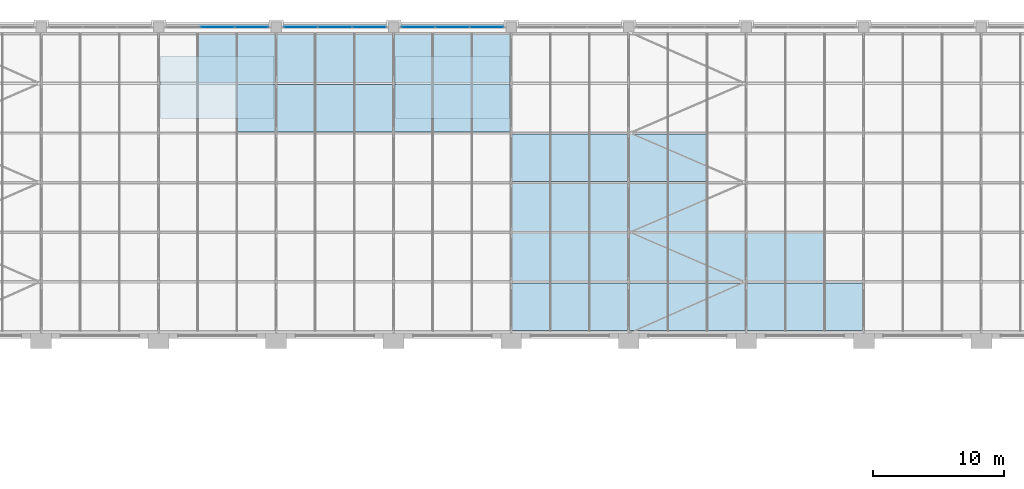
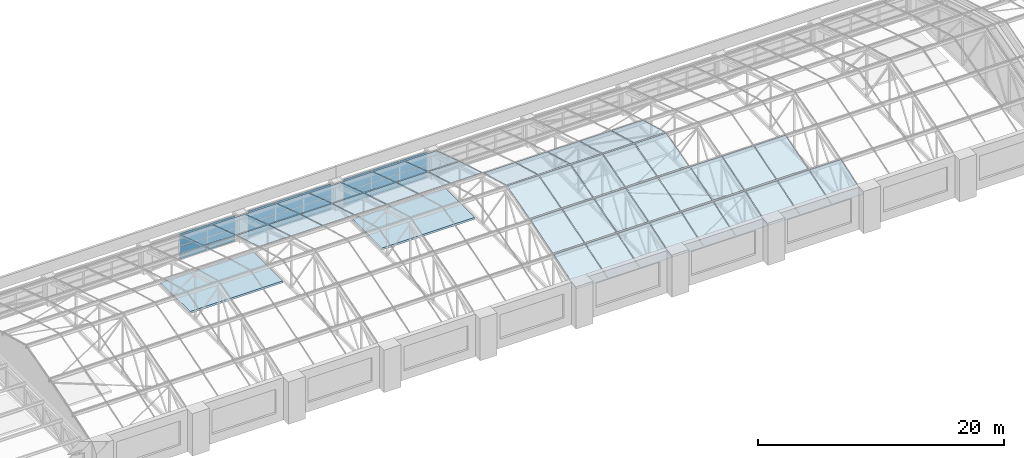
# One storey, part 48 of 82: 58 plates, 2 slabs, 4 elements without a shape of their own.
"""IFC4 building model written with IfcOpenShell, lengths in metres."""

from ifc_helpers import new_model, si_unit, direction, frame, origin, origin_2d, place, context, subcontext, project, spatial, polyline, rectangle, outline, extrude, material, layer, layer_set, type_object, element, aggregate, save


model = new_model("IFC4")

# Units and contexts
model_context = context("Model", 3, precision=1e-05, world=origin(), true_north=direction((0.0, 1.0)))
body_context = subcontext(model_context, "Body", "Model", "MODEL_VIEW")
ifc_project = project(units=[si_unit("LENGTHUNIT", "METRE"), si_unit("AREAUNIT", "SQUARE_METRE"), si_unit("VOLUMEUNIT", "CUBIC_METRE"), si_unit("PLANEANGLEUNIT", "RADIAN"), si_unit("MASSUNIT", "GRAM", prefix="KILO")], contexts=[model_context])

# Site, building, storey
site_placement = place(None, origin())
site = spatial("IfcSite", under=ifc_project, at=site_placement, CompositionType="ELEMENT")
building_placement = place(site_placement, origin())
building = spatial("IfcBuilding", under=site, at=building_placement, Name="Aravalli Gate Trade Fair Centre", CompositionType="ELEMENT")
storey_placement = place(building_placement, frame((0.0, 0.0, 19.199951171875)))
storey = spatial("IfcBuildingStorey", under=building, at=storey_placement, Name="L04", CompositionType="ELEMENT", Elevation=19.199951171875)

# Slabs
ifc_material_1 = material(Name="Concrete M40", Category="concrete")
ifc_layer_1 = layer(ifc_material_1, 0.199951171875)
ifc_layer_set_1 = layer_set([ifc_layer_1], Name="Concrete M40")
slab_type = type_object("IfcSlabType", Name="Concourse core cover slab 200", PredefinedType="ROOF", material=ifc_layer_set_1)
slab_1_placement = place(storey_placement, origin())
element("IfcSlab", 1, at=slab_1_placement, inside=storey, type_object=slab_type, Name="Core cover slab XA", PredefinedType="ROOF", context=body_context, shape_type="SweptSolid", body=[
    extrude(outline(polyline([(33.14990234375, 126.0), (41.85009765625, 126.0), (41.85009765625, 130.800048828125), (33.14990234375, 130.800048828125), (33.14990234375, 126.0)])), origin(), (0.0, 0.0, 1.0), 0.199951171875),
])
slab_2_placement = place(storey_placement, origin())
element("IfcSlab", 2, at=slab_2_placement, inside=storey, type_object=slab_type, Name="Core cover slab XB", PredefinedType="ROOF", context=body_context, shape_type="SweptSolid", body=[
    extrude(outline(polyline([(51.14990234375, 126.0), (59.85009765625, 126.0), (59.85009765625, 130.800048828125), (51.14990234375, 130.800048828125), (51.14990234375, 126.0)])), origin(), (0.0, 0.0, 1.0), 0.199951171875),
])

# Curtain wall, plates
ifc_material_2 = material(Name="Aluminium and glass", Category="aluminium")
curtain_wall_type_1 = type_object("IfcCurtainWallType", Name="Curtain wall 3000 module", PredefinedType="NOTDEFINED", material=ifc_material_2)
curtain_wall_1_placement = place(storey_placement, origin())
curtain_wall_1 = element("IfcCurtainWall", 3, at=curtain_wall_1_placement, inside=storey, type_object=curtain_wall_type_1, Name="Curtain wall north bay 4 L04", PredefinedType="NOTDEFINED")
ifc_material_3 = material(Name="Glass, double glazed", Category="glass")
ifc_layer_2 = layer(ifc_material_3, 0.028076171875)
ifc_layer_set_2 = layer_set([ifc_layer_2], Name="Glass, double glazed")
plate_type_1 = type_object("IfcPlateType", Name="Curtain wall panel, double glazed 28", PredefinedType="CURTAIN_PANEL", material=ifc_layer_set_2)
plate_1_placement = place(storey_placement, frame((37.5, 133.0, 0.06005859375), z_axis=(0.0, 0.0, 1.0), x_axis=(1.0, 0.0, 0.0)))
plate_1 = element("IfcPlate", 4, at=plate_1_placement, type_object=plate_type_1, Name="CW1 panel 2.1", PredefinedType="CURTAIN_PANEL", context=body_context, shape_type="SweptSolid", body=[
    extrude(rectangle(XDim=2.5732421875, YDim=0.028076171875, at=origin_2d()), origin(), (0.0, 0.0, 1.0), 1.260009765625),
])
plate_2_placement = place(storey_placement, frame((37.5, 133.0, 1.3798828125), z_axis=(0.0, 0.0, 1.0), x_axis=(1.0, 0.0, 0.0)))
plate_2 = element("IfcPlate", 5, at=plate_2_placement, type_object=plate_type_1, Name="CW1 panel 2.2", PredefinedType="CURTAIN_PANEL", context=body_context, shape_type="SweptSolid", body=[
    extrude(rectangle(XDim=2.5732421875, YDim=0.028076171875, at=origin_2d()), origin(), (0.0, 0.0, 1.0), 1.260009765625),
])
plate_3_placement = place(storey_placement, frame((40.118408203125, 133.0, 0.06005859375), z_axis=(0.0, 0.0, 1.0), x_axis=(1.0, 0.0, 0.0)))
plate_3 = element("IfcPlate", 6, at=plate_3_placement, type_object=plate_type_1, Name="CW1 panel 3.1", PredefinedType="CURTAIN_PANEL", context=body_context, shape_type="SweptSolid", body=[
    extrude(rectangle(XDim=2.543212890625, YDim=0.028076171875, at=origin_2d()), origin(), (0.0, 0.0, 1.0), 1.260009765625),
])
plate_4_placement = place(storey_placement, frame((40.118408203125, 133.0, 1.3798828125), z_axis=(0.0, 0.0, 1.0), x_axis=(1.0, 0.0, 0.0)))
plate_4 = element("IfcPlate", 7, at=plate_4_placement, type_object=plate_type_1, Name="CW1 panel 3.2", PredefinedType="CURTAIN_PANEL", context=body_context, shape_type="SweptSolid", body=[
    extrude(rectangle(XDim=2.543212890625, YDim=0.028076171875, at=origin_2d()), origin(), (0.0, 0.0, 1.0), 1.260009765625),
])
aggregate(curtain_wall_1, [plate_1, plate_2, plate_3, plate_4])

curtain_wall_2_placement = place(storey_placement, origin())
curtain_wall_2 = element("IfcCurtainWall", 8, at=curtain_wall_2_placement, inside=storey, type_object=curtain_wall_type_1, Name="Curtain wall north bay 5 L04", PredefinedType="NOTDEFINED")
plate_5_placement = place(storey_placement, frame((43.881591796875, 133.0, 0.06005859375), z_axis=(0.0, 0.0, 1.0), x_axis=(1.0, 0.0, 0.0)))
plate_5 = element("IfcPlate", 9, at=plate_5_placement, type_object=plate_type_1, Name="CW1 panel 1.1", PredefinedType="CURTAIN_PANEL", context=body_context, shape_type="SweptSolid", body=[
    extrude(rectangle(XDim=2.543212890625, YDim=0.028076171875, at=origin_2d()), origin(), (0.0, 0.0, 1.0), 1.260009765625),
])
plate_6_placement = place(storey_placement, frame((43.881591796875, 133.0, 1.3798828125), z_axis=(0.0, 0.0, 1.0), x_axis=(1.0, 0.0, 0.0)))
plate_6 = element("IfcPlate", 10, at=plate_6_placement, type_object=plate_type_1, Name="CW1 panel 1.2", PredefinedType="CURTAIN_PANEL", context=body_context, shape_type="SweptSolid", body=[
    extrude(rectangle(XDim=2.543212890625, YDim=0.028076171875, at=origin_2d()), origin(), (0.0, 0.0, 1.0), 1.260009765625),
])
plate_7_placement = place(storey_placement, frame((46.5, 133.0, 0.06005859375), z_axis=(0.0, 0.0, 1.0), x_axis=(1.0, 0.0, 0.0)))
plate_7 = element("IfcPlate", 11, at=plate_7_placement, type_object=plate_type_1, Name="CW1 panel 2.1", PredefinedType="CURTAIN_PANEL", context=body_context, shape_type="SweptSolid", body=[
    extrude(rectangle(XDim=2.5732421875, YDim=0.028076171875, at=origin_2d()), origin(), (0.0, 0.0, 1.0), 1.260009765625),
])
plate_8_placement = place(storey_placement, frame((46.5, 133.0, 1.3798828125), z_axis=(0.0, 0.0, 1.0), x_axis=(1.0, 0.0, 0.0)))
plate_8 = element("IfcPlate", 12, at=plate_8_placement, type_object=plate_type_1, Name="CW1 panel 2.2", PredefinedType="CURTAIN_PANEL", context=body_context, shape_type="SweptSolid", body=[
    extrude(rectangle(XDim=2.5732421875, YDim=0.028076171875, at=origin_2d()), origin(), (0.0, 0.0, 1.0), 1.260009765625),
])
plate_9_placement = place(storey_placement, frame((49.118408203125, 133.0, 0.06005859375), z_axis=(0.0, 0.0, 1.0), x_axis=(1.0, 0.0, 0.0)))
plate_9 = element("IfcPlate", 13, at=plate_9_placement, type_object=plate_type_1, Name="CW1 panel 3.1", PredefinedType="CURTAIN_PANEL", context=body_context, shape_type="SweptSolid", body=[
    extrude(rectangle(XDim=2.543212890625, YDim=0.028076171875, at=origin_2d()), origin(), (0.0, 0.0, 1.0), 1.260009765625),
])
plate_10_placement = place(storey_placement, frame((49.118408203125, 133.0, 1.3798828125), z_axis=(0.0, 0.0, 1.0), x_axis=(1.0, 0.0, 0.0)))
plate_10 = element("IfcPlate", 14, at=plate_10_placement, type_object=plate_type_1, Name="CW1 panel 3.2", PredefinedType="CURTAIN_PANEL", context=body_context, shape_type="SweptSolid", body=[
    extrude(rectangle(XDim=2.543212890625, YDim=0.028076171875, at=origin_2d()), origin(), (0.0, 0.0, 1.0), 1.260009765625),
])
aggregate(curtain_wall_2, [plate_5, plate_6, plate_7, plate_8, plate_9, plate_10])

curtain_wall_3_placement = place(storey_placement, origin())
curtain_wall_3 = element("IfcCurtainWall", 15, at=curtain_wall_3_placement, inside=storey, type_object=curtain_wall_type_1, Name="Curtain wall north bay 6 L04", PredefinedType="NOTDEFINED")
plate_11_placement = place(storey_placement, frame((52.881591796875, 133.0, 0.06005859375), z_axis=(0.0, 0.0, 1.0), x_axis=(1.0, 0.0, 0.0)))
plate_11 = element("IfcPlate", 16, at=plate_11_placement, type_object=plate_type_1, Name="CW1 panel 1.1", PredefinedType="CURTAIN_PANEL", context=body_context, shape_type="SweptSolid", body=[
    extrude(rectangle(XDim=2.543212890625, YDim=0.028076171875, at=origin_2d()), origin(), (0.0, 0.0, 1.0), 1.260009765625),
])
plate_12_placement = place(storey_placement, frame((52.881591796875, 133.0, 1.3798828125), z_axis=(0.0, 0.0, 1.0), x_axis=(1.0, 0.0, 0.0)))
plate_12 = element("IfcPlate", 17, at=plate_12_placement, type_object=plate_type_1, Name="CW1 panel 1.2", PredefinedType="CURTAIN_PANEL", context=body_context, shape_type="SweptSolid", body=[
    extrude(rectangle(XDim=2.543212890625, YDim=0.028076171875, at=origin_2d()), origin(), (0.0, 0.0, 1.0), 1.260009765625),
])
plate_13_placement = place(storey_placement, frame((55.5, 133.0, 0.06005859375), z_axis=(0.0, 0.0, 1.0), x_axis=(1.0, 0.0, 0.0)))
plate_13 = element("IfcPlate", 18, at=plate_13_placement, type_object=plate_type_1, Name="CW1 panel 2.1", PredefinedType="CURTAIN_PANEL", context=body_context, shape_type="SweptSolid", body=[
    extrude(rectangle(XDim=2.5732421875, YDim=0.028076171875, at=origin_2d()), origin(), (0.0, 0.0, 1.0), 1.260009765625),
])
plate_14_placement = place(storey_placement, frame((55.5, 133.0, 1.3798828125), z_axis=(0.0, 0.0, 1.0), x_axis=(1.0, 0.0, 0.0)))
plate_14 = element("IfcPlate", 19, at=plate_14_placement, type_object=plate_type_1, Name="CW1 panel 2.2", PredefinedType="CURTAIN_PANEL", context=body_context, shape_type="SweptSolid", body=[
    extrude(rectangle(XDim=2.5732421875, YDim=0.028076171875, at=origin_2d()), origin(), (0.0, 0.0, 1.0), 1.260009765625),
])
plate_15_placement = place(storey_placement, frame((58.118408203125, 133.0, 0.06005859375), z_axis=(0.0, 0.0, 1.0), x_axis=(1.0, 0.0, 0.0)))
plate_15 = element("IfcPlate", 20, at=plate_15_placement, type_object=plate_type_1, Name="CW1 panel 3.1", PredefinedType="CURTAIN_PANEL", context=body_context, shape_type="SweptSolid", body=[
    extrude(rectangle(XDim=2.543212890625, YDim=0.028076171875, at=origin_2d()), origin(), (0.0, 0.0, 1.0), 1.260009765625),
])
plate_16_placement = place(storey_placement, frame((58.118408203125, 133.0, 1.3798828125), z_axis=(0.0, 0.0, 1.0), x_axis=(1.0, 0.0, 0.0)))
plate_16 = element("IfcPlate", 21, at=plate_16_placement, type_object=plate_type_1, Name="CW1 panel 3.2", PredefinedType="CURTAIN_PANEL", context=body_context, shape_type="SweptSolid", body=[
    extrude(rectangle(XDim=2.543212890625, YDim=0.028076171875, at=origin_2d()), origin(), (0.0, 0.0, 1.0), 1.260009765625),
])
aggregate(curtain_wall_3, [plate_11, plate_12, plate_13, plate_14, plate_15, plate_16])

curtain_wall_type_2 = type_object("IfcCurtainWallType", Name="Vault curtain wall, sloped glazing", PredefinedType="NOTDEFINED", material=ifc_material_2)
curtain_wall_4_placement = place(storey_placement, origin())
curtain_wall_4 = element("IfcCurtainWall", 22, at=curtain_wall_4_placement, inside=storey, type_object=curtain_wall_type_2, Name="Vault curtain wall w", PredefinedType="NOTDEFINED")
ifc_material_4 = material(Name="Glass, laminated double glazed", Category="glass")
ifc_layer_3 = layer(ifc_material_4, 0.028076171875)
ifc_layer_set_3 = layer_set([ifc_layer_3], Name="Glass, laminated double glazed")
plate_type_2 = type_object("IfcPlateType", Name="Vault glazing panel, facet class 1", PredefinedType="CURTAIN_PANEL", material=ifc_layer_set_3)
plate_17_placement = place(storey_placement, frame((36.030029296875, 128.77001953125, 4.0771484375), z_axis=(0.0, 0.312518472278, 0.949911682466), x_axis=(1.0, 0.0, 0.0)))
plate_17 = element("IfcPlate", 23, at=plate_17_placement, type_object=plate_type_2, Name="Vault glazing w8.6", PredefinedType="CURTAIN_PANEL", context=body_context, shape_type="SweptSolid", body=[
    extrude(outline(polyline([(0.0, 0.0), (2.93994140625, 0.0), (2.93994140625, 3.852897250273449), (0.0, 3.852897250273449), (0.0, 0.0)])), origin(), (0.0, 0.0, -1.0), 0.028076171875),
])
plate_18_placement = place(storey_placement, frame((39.030029296875, 128.77001953125, 4.0771484375), z_axis=(0.0, 0.312518472278, 0.949911682466), x_axis=(1.0, 0.0, 0.0)))
plate_18 = element("IfcPlate", 24, at=plate_18_placement, type_object=plate_type_2, Name="Vault glazing w9.6", PredefinedType="CURTAIN_PANEL", context=body_context, shape_type="SweptSolid", body=[
    extrude(outline(polyline([(0.0, 0.0), (2.93994140625, 0.0), (2.93994140625, 3.852897250273449), (0.0, 3.852897250273449), (0.0, 0.0)])), origin(), (0.0, 0.0, -1.0), 0.028076171875),
])
plate_19_placement = place(storey_placement, frame((42.030029296875, 128.77001953125, 4.0771484375), z_axis=(0.0, 0.312518472278, 0.949911682466), x_axis=(1.0, 0.0, 0.0)))
plate_19 = element("IfcPlate", 25, at=plate_19_placement, type_object=plate_type_2, Name="Vault glazing w10.6", PredefinedType="CURTAIN_PANEL", context=body_context, shape_type="SweptSolid", body=[
    extrude(outline(polyline([(0.0, 0.0), (2.93994140625, 0.0), (2.93994140625, 3.852897250273449), (0.0, 3.852897250273449), (0.0, 0.0)])), origin(), (0.0, 0.0, -1.0), 0.028076171875),
])
plate_20_placement = place(storey_placement, frame((45.030029296875, 128.77001953125, 4.0771484375), z_axis=(0.0, 0.312518472278, 0.949911682466), x_axis=(1.0, 0.0, 0.0)))
plate_20 = element("IfcPlate", 26, at=plate_20_placement, type_object=plate_type_2, Name="Vault glazing w11.6", PredefinedType="CURTAIN_PANEL", context=body_context, shape_type="SweptSolid", body=[
    extrude(outline(polyline([(0.0, 0.0), (2.93994140625, 0.0), (2.93994140625, 3.852897250273449), (0.0, 3.852897250273449), (0.0, 0.0)])), origin(), (0.0, 0.0, -1.0), 0.028076171875),
])
plate_21_placement = place(storey_placement, frame((48.030029296875, 128.77001953125, 4.0771484375), z_axis=(0.0, 0.312518472278, 0.949911682466), x_axis=(1.0, 0.0, 0.0)))
plate_21 = element("IfcPlate", 27, at=plate_21_placement, type_object=plate_type_2, Name="Vault glazing w12.6", PredefinedType="CURTAIN_PANEL", context=body_context, shape_type="SweptSolid", body=[
    extrude(outline(polyline([(0.0, 0.0), (2.93994140625, 0.0), (2.93994140625, 3.852897250273449), (0.0, 3.852897250273449), (0.0, 0.0)])), origin(), (0.0, 0.0, -1.0), 0.028076171875),
])
plate_22_placement = place(storey_placement, frame((51.030029296875, 128.77001953125, 4.0771484375), z_axis=(0.0, 0.312518472278, 0.949911682466), x_axis=(1.0, 0.0, 0.0)))
plate_22 = element("IfcPlate", 28, at=plate_22_placement, type_object=plate_type_2, Name="Vault glazing w13.6", PredefinedType="CURTAIN_PANEL", context=body_context, shape_type="SweptSolid", body=[
    extrude(outline(polyline([(0.0, 0.0), (2.93994140625, 0.0), (2.93994140625, 3.852897250273449), (0.0, 3.852897250273449), (0.0, 0.0)])), origin(), (0.0, 0.0, -1.0), 0.028076171875),
])
plate_23_placement = place(storey_placement, frame((54.030029296875, 128.77001953125, 4.0771484375), z_axis=(0.0, 0.312518472278, 0.949911682466), x_axis=(1.0, 0.0, 0.0)))
plate_23 = element("IfcPlate", 29, at=plate_23_placement, type_object=plate_type_2, Name="Vault glazing w14.6", PredefinedType="CURTAIN_PANEL", context=body_context, shape_type="SweptSolid", body=[
    extrude(outline(polyline([(0.0, 0.0), (2.93994140625, 0.0), (2.93994140625, 3.852897250273449), (0.0, 3.852897250273449), (0.0, 0.0)])), origin(), (0.0, 0.0, -1.0), 0.028076171875),
])
plate_24_placement = place(storey_placement, frame((57.030029296875, 128.77001953125, 4.0771484375), z_axis=(0.0, 0.312518472278, 0.949911682466), x_axis=(1.0, 0.0, 0.0)))
plate_24 = element("IfcPlate", 30, at=plate_24_placement, type_object=plate_type_2, Name="Vault glazing w15.6", PredefinedType="CURTAIN_PANEL", context=body_context, shape_type="SweptSolid", body=[
    extrude(outline(polyline([(0.0, 0.0), (2.93994140625, 0.0), (2.93994140625, 3.852897250273449), (0.0, 3.852897250273449), (0.0, 0.0)])), origin(), (0.0, 0.0, -1.0), 0.028076171875),
])
plate_25_placement = place(storey_placement, frame((60.030029296875, 109.77001953125, 2.873046875), z_axis=(0.0, -0.312518472278, 0.949911682466), x_axis=(1.0, 0.0, 0.0)))
plate_25 = element("IfcPlate", 31, at=plate_25_placement, type_object=plate_type_2, Name="Vault glazing w16.1", PredefinedType="CURTAIN_PANEL", context=body_context, shape_type="SweptSolid", body=[
    extrude(outline(polyline([(0.0, 0.0), (2.93994140625, 0.0), (2.93994140625, 3.852897250273449), (0.0, 3.852897250273449), (0.0, 0.0)])), origin(), (0.0, 0.0, -1.0), 0.028076171875),
])
plate_26_placement = place(storey_placement, frame((63.030029296875, 109.77001953125, 2.873046875), z_axis=(0.0, -0.312518472278, 0.949911682466), x_axis=(1.0, 0.0, 0.0)))
plate_26 = element("IfcPlate", 32, at=plate_26_placement, type_object=plate_type_2, Name="Vault glazing w17.1", PredefinedType="CURTAIN_PANEL", context=body_context, shape_type="SweptSolid", body=[
    extrude(outline(polyline([(0.0, 0.0), (2.93994140625, 0.0), (2.93994140625, 3.852897250273449), (0.0, 3.852897250273449), (0.0, 0.0)])), origin(), (0.0, 0.0, -1.0), 0.028076171875),
])
plate_27_placement = place(storey_placement, frame((66.030029296875, 109.77001953125, 2.873046875), z_axis=(0.0, -0.312518472278, 0.949911682466), x_axis=(1.0, 0.0, 0.0)))
plate_27 = element("IfcPlate", 33, at=plate_27_placement, type_object=plate_type_2, Name="Vault glazing w18.1", PredefinedType="CURTAIN_PANEL", context=body_context, shape_type="SweptSolid", body=[
    extrude(outline(polyline([(0.0, 0.0), (2.93994140625, 0.0), (2.93994140625, 3.852897250273449), (0.0, 3.852897250273449), (0.0, 0.0)])), origin(), (0.0, 0.0, -1.0), 0.028076171875),
])
plate_28_placement = place(storey_placement, frame((69.030029296875, 109.77001953125, 2.873046875), z_axis=(0.0, -0.312518472278, 0.949911682466), x_axis=(1.0, 0.0, 0.0)))
plate_28 = element("IfcPlate", 34, at=plate_28_placement, type_object=plate_type_2, Name="Vault glazing w19.1", PredefinedType="CURTAIN_PANEL", context=body_context, shape_type="SweptSolid", body=[
    extrude(outline(polyline([(0.0, 0.0), (2.93994140625, 0.0), (2.93994140625, 3.852897250273449), (0.0, 3.852897250273449), (0.0, 0.0)])), origin(), (0.0, 0.0, -1.0), 0.028076171875),
])
plate_29_placement = place(storey_placement, frame((72.030029296875, 109.77001953125, 2.873046875), z_axis=(0.0, -0.312518472278, 0.949911682466), x_axis=(1.0, 0.0, 0.0)))
plate_29 = element("IfcPlate", 35, at=plate_29_placement, type_object=plate_type_2, Name="Vault glazing w20.1", PredefinedType="CURTAIN_PANEL", context=body_context, shape_type="SweptSolid", body=[
    extrude(outline(polyline([(0.0, 0.0), (2.93994140625, 0.0), (2.93994140625, 3.852897250273449), (0.0, 3.852897250273449), (0.0, 0.0)])), origin(), (0.0, 0.0, -1.0), 0.028076171875),
])
plate_30_placement = place(storey_placement, frame((75.030029296875, 109.77001953125, 2.873046875), z_axis=(0.0, -0.312518472278, 0.949911682466), x_axis=(1.0, 0.0, 0.0)))
plate_30 = element("IfcPlate", 36, at=plate_30_placement, type_object=plate_type_2, Name="Vault glazing w21.1", PredefinedType="CURTAIN_PANEL", context=body_context, shape_type="SweptSolid", body=[
    extrude(outline(polyline([(0.0, 0.0), (2.93994140625, 0.0), (2.93994140625, 3.852897250273449), (0.0, 3.852897250273449), (0.0, 0.0)])), origin(), (0.0, 0.0, -1.0), 0.028076171875),
])
plate_31_placement = place(storey_placement, frame((78.030029296875, 109.77001953125, 2.873046875), z_axis=(0.0, -0.312518472278, 0.949911682466), x_axis=(1.0, 0.0, 0.0)))
plate_31 = element("IfcPlate", 37, at=plate_31_placement, type_object=plate_type_2, Name="Vault glazing w22.1", PredefinedType="CURTAIN_PANEL", context=body_context, shape_type="SweptSolid", body=[
    extrude(outline(polyline([(0.0, 0.0), (2.93994140625, 0.0), (2.93994140625, 3.852897250273449), (0.0, 3.852897250273449), (0.0, 0.0)])), origin(), (0.0, 0.0, -1.0), 0.028076171875),
])
plate_32_placement = place(storey_placement, frame((81.030029296875, 109.77001953125, 2.873046875), z_axis=(0.0, -0.312518472278, 0.949911682466), x_axis=(1.0, 0.0, 0.0)))
plate_32 = element("IfcPlate", 38, at=plate_32_placement, type_object=plate_type_2, Name="Vault glazing w23.1", PredefinedType="CURTAIN_PANEL", context=body_context, shape_type="SweptSolid", body=[
    extrude(outline(polyline([(0.0, 0.0), (2.93994140625, 0.0), (2.93994140625, 3.852897250273449), (0.0, 3.852897250273449), (0.0, 0.0)])), origin(), (0.0, 0.0, -1.0), 0.028076171875),
])
plate_33_placement = place(storey_placement, frame((84.030029296875, 109.77001953125, 2.873046875), z_axis=(0.0, -0.312518472278, 0.949911682466), x_axis=(1.0, 0.0, 0.0)))
plate_33 = element("IfcPlate", 39, at=plate_33_placement, type_object=plate_type_2, Name="Vault glazing w24.1", PredefinedType="CURTAIN_PANEL", context=body_context, shape_type="SweptSolid", body=[
    extrude(outline(polyline([(0.0, 0.0), (2.93994140625, 0.0), (2.93994140625, 3.852897250273449), (0.0, 3.852897250273449), (0.0, 0.0)])), origin(), (0.0, 0.0, -1.0), 0.028076171875),
])
ifc_layer_4 = layer(ifc_material_4, 0.028076171875)
ifc_layer_set_4 = layer_set([ifc_layer_4], Name="Glass, laminated double glazed")
plate_type_3 = type_object("IfcPlateType", Name="Vault glazing panel, facet class 2", PredefinedType="CURTAIN_PANEL", material=ifc_layer_set_4)
plate_34_placement = place(storey_placement, frame((39.030029296875, 124.969970703125, 5.228759765625), z_axis=(0.0, 0.289613973345, 0.957143534922), x_axis=(1.0, 0.0, 0.0)))
plate_34 = element("IfcPlate", 40, at=plate_34_placement, type_object=plate_type_3, Name="Vault glazing w9.5", PredefinedType="CURTAIN_PANEL", context=body_context, shape_type="SweptSolid", body=[
    extrude(outline(polyline([(0.0, 0.0), (2.93994140625, 0.0), (2.93994140625, 3.8237860632595906), (0.0, 3.8237860632595906), (0.0, 0.0)])), origin(), (0.0, 0.0, -1.0), 0.028076171875),
])
plate_35_placement = place(storey_placement, frame((42.030029296875, 124.969970703125, 5.228759765625), z_axis=(0.0, 0.289613973345, 0.957143534922), x_axis=(1.0, 0.0, 0.0)))
plate_35 = element("IfcPlate", 41, at=plate_35_placement, type_object=plate_type_3, Name="Vault glazing w10.5", PredefinedType="CURTAIN_PANEL", context=body_context, shape_type="SweptSolid", body=[
    extrude(outline(polyline([(0.0, 0.0), (2.93994140625, 0.0), (2.93994140625, 3.8237860632595906), (0.0, 3.8237860632595906), (0.0, 0.0)])), origin(), (0.0, 0.0, -1.0), 0.028076171875),
])
plate_36_placement = place(storey_placement, frame((45.030029296875, 124.969970703125, 5.228759765625), z_axis=(0.0, 0.289613973345, 0.957143534922), x_axis=(1.0, 0.0, 0.0)))
plate_36 = element("IfcPlate", 42, at=plate_36_placement, type_object=plate_type_3, Name="Vault glazing w11.5", PredefinedType="CURTAIN_PANEL", context=body_context, shape_type="SweptSolid", body=[
    extrude(outline(polyline([(0.0, 0.0), (2.93994140625, 0.0), (2.93994140625, 3.8237860632595906), (0.0, 3.8237860632595906), (0.0, 0.0)])), origin(), (0.0, 0.0, -1.0), 0.028076171875),
])
plate_37_placement = place(storey_placement, frame((48.030029296875, 124.969970703125, 5.228759765625), z_axis=(0.0, 0.289613973345, 0.957143534922), x_axis=(1.0, 0.0, 0.0)))
plate_37 = element("IfcPlate", 43, at=plate_37_placement, type_object=plate_type_3, Name="Vault glazing w12.5", PredefinedType="CURTAIN_PANEL", context=body_context, shape_type="SweptSolid", body=[
    extrude(outline(polyline([(0.0, 0.0), (2.93994140625, 0.0), (2.93994140625, 3.8237860632595906), (0.0, 3.8237860632595906), (0.0, 0.0)])), origin(), (0.0, 0.0, -1.0), 0.028076171875),
])
plate_38_placement = place(storey_placement, frame((51.030029296875, 124.969970703125, 5.228759765625), z_axis=(0.0, 0.289613973345, 0.957143534922), x_axis=(1.0, 0.0, 0.0)))
plate_38 = element("IfcPlate", 44, at=plate_38_placement, type_object=plate_type_3, Name="Vault glazing w13.5", PredefinedType="CURTAIN_PANEL", context=body_context, shape_type="SweptSolid", body=[
    extrude(outline(polyline([(0.0, 0.0), (2.93994140625, 0.0), (2.93994140625, 3.8237860632595906), (0.0, 3.8237860632595906), (0.0, 0.0)])), origin(), (0.0, 0.0, -1.0), 0.028076171875),
])
plate_39_placement = place(storey_placement, frame((54.030029296875, 124.969970703125, 5.228759765625), z_axis=(0.0, 0.289613973345, 0.957143534922), x_axis=(1.0, 0.0, 0.0)))
plate_39 = element("IfcPlate", 45, at=plate_39_placement, type_object=plate_type_3, Name="Vault glazing w14.5", PredefinedType="CURTAIN_PANEL", context=body_context, shape_type="SweptSolid", body=[
    extrude(outline(polyline([(0.0, 0.0), (2.93994140625, 0.0), (2.93994140625, 3.8237860632595906), (0.0, 3.8237860632595906), (0.0, 0.0)])), origin(), (0.0, 0.0, -1.0), 0.028076171875),
])
plate_40_placement = place(storey_placement, frame((57.030029296875, 124.969970703125, 5.228759765625), z_axis=(0.0, 0.289613973345, 0.957143534922), x_axis=(1.0, 0.0, 0.0)))
plate_40 = element("IfcPlate", 46, at=plate_40_placement, type_object=plate_type_3, Name="Vault glazing w15.5", PredefinedType="CURTAIN_PANEL", context=body_context, shape_type="SweptSolid", body=[
    extrude(outline(polyline([(0.0, 0.0), (2.93994140625, 0.0), (2.93994140625, 3.8237860632595906), (0.0, 3.8237860632595906), (0.0, 0.0)])), origin(), (0.0, 0.0, -1.0), 0.028076171875),
])
plate_41_placement = place(storey_placement, frame((60.030029296875, 113.570068359375, 4.121337890625), z_axis=(0.0, -0.289613973345, 0.957143534922), x_axis=(1.0, 0.0, 0.0)))
plate_41 = element("IfcPlate", 47, at=plate_41_placement, type_object=plate_type_3, Name="Vault glazing w16.2", PredefinedType="CURTAIN_PANEL", context=body_context, shape_type="SweptSolid", body=[
    extrude(outline(polyline([(0.0, 0.0), (2.93994140625, 0.0), (2.93994140625, 3.8237860632595906), (0.0, 3.8237860632595906), (0.0, 0.0)])), origin(), (0.0, 0.0, -1.0), 0.028076171875),
])
plate_42_placement = place(storey_placement, frame((63.030029296875, 113.570068359375, 4.121337890625), z_axis=(0.0, -0.289613973345, 0.957143534922), x_axis=(1.0, 0.0, 0.0)))
plate_42 = element("IfcPlate", 48, at=plate_42_placement, type_object=plate_type_3, Name="Vault glazing w17.2", PredefinedType="CURTAIN_PANEL", context=body_context, shape_type="SweptSolid", body=[
    extrude(outline(polyline([(0.0, 0.0), (2.93994140625, 0.0), (2.93994140625, 3.8237860632595906), (0.0, 3.8237860632595906), (0.0, 0.0)])), origin(), (0.0, 0.0, -1.0), 0.028076171875),
])
plate_43_placement = place(storey_placement, frame((66.030029296875, 113.570068359375, 4.121337890625), z_axis=(0.0, -0.289613973345, 0.957143534922), x_axis=(1.0, 0.0, 0.0)))
plate_43 = element("IfcPlate", 49, at=plate_43_placement, type_object=plate_type_3, Name="Vault glazing w18.2", PredefinedType="CURTAIN_PANEL", context=body_context, shape_type="SweptSolid", body=[
    extrude(outline(polyline([(0.0, 0.0), (2.93994140625, 0.0), (2.93994140625, 3.8237860632595906), (0.0, 3.8237860632595906), (0.0, 0.0)])), origin(), (0.0, 0.0, -1.0), 0.028076171875),
])
plate_44_placement = place(storey_placement, frame((69.030029296875, 113.570068359375, 4.121337890625), z_axis=(0.0, -0.289613973345, 0.957143534922), x_axis=(1.0, 0.0, 0.0)))
plate_44 = element("IfcPlate", 50, at=plate_44_placement, type_object=plate_type_3, Name="Vault glazing w19.2", PredefinedType="CURTAIN_PANEL", context=body_context, shape_type="SweptSolid", body=[
    extrude(outline(polyline([(0.0, 0.0), (2.93994140625, 0.0), (2.93994140625, 3.8237860632595906), (0.0, 3.8237860632595906), (0.0, 0.0)])), origin(), (0.0, 0.0, -1.0), 0.028076171875),
])
plate_45_placement = place(storey_placement, frame((72.030029296875, 113.570068359375, 4.121337890625), z_axis=(0.0, -0.289613973345, 0.957143534922), x_axis=(1.0, 0.0, 0.0)))
plate_45 = element("IfcPlate", 51, at=plate_45_placement, type_object=plate_type_3, Name="Vault glazing w20.2", PredefinedType="CURTAIN_PANEL", context=body_context, shape_type="SweptSolid", body=[
    extrude(outline(polyline([(0.0, 0.0), (2.93994140625, 0.0), (2.93994140625, 3.8237860632595906), (0.0, 3.8237860632595906), (0.0, 0.0)])), origin(), (0.0, 0.0, -1.0), 0.028076171875),
])
plate_46_placement = place(storey_placement, frame((75.030029296875, 113.570068359375, 4.121337890625), z_axis=(0.0, -0.289613973345, 0.957143534922), x_axis=(1.0, 0.0, 0.0)))
plate_46 = element("IfcPlate", 52, at=plate_46_placement, type_object=plate_type_3, Name="Vault glazing w21.2", PredefinedType="CURTAIN_PANEL", context=body_context, shape_type="SweptSolid", body=[
    extrude(outline(polyline([(0.0, 0.0), (2.93994140625, 0.0), (2.93994140625, 3.8237860632595906), (0.0, 3.8237860632595906), (0.0, 0.0)])), origin(), (0.0, 0.0, -1.0), 0.028076171875),
])
plate_47_placement = place(storey_placement, frame((78.030029296875, 113.570068359375, 4.121337890625), z_axis=(0.0, -0.289613973345, 0.957143534922), x_axis=(1.0, 0.0, 0.0)))
plate_47 = element("IfcPlate", 53, at=plate_47_placement, type_object=plate_type_3, Name="Vault glazing w22.2", PredefinedType="CURTAIN_PANEL", context=body_context, shape_type="SweptSolid", body=[
    extrude(outline(polyline([(0.0, 0.0), (2.93994140625, 0.0), (2.93994140625, 3.8237860632595906), (0.0, 3.8237860632595906), (0.0, 0.0)])), origin(), (0.0, 0.0, -1.0), 0.028076171875),
])
plate_48_placement = place(storey_placement, frame((81.030029296875, 113.570068359375, 4.121337890625), z_axis=(0.0, -0.289613973345, 0.957143534922), x_axis=(1.0, 0.0, 0.0)))
plate_48 = element("IfcPlate", 54, at=plate_48_placement, type_object=plate_type_3, Name="Vault glazing w23.2", PredefinedType="CURTAIN_PANEL", context=body_context, shape_type="SweptSolid", body=[
    extrude(outline(polyline([(0.0, 0.0), (2.93994140625, 0.0), (2.93994140625, 3.8237860632595906), (0.0, 3.8237860632595906), (0.0, 0.0)])), origin(), (0.0, 0.0, -1.0), 0.028076171875),
])
ifc_layer_5 = layer(ifc_material_4, 0.028076171875)
ifc_layer_set_5 = layer_set([ifc_layer_5], Name="Glass, laminated double glazed")
plate_type_4 = type_object("IfcPlateType", Name="Vault glazing panel, facet class 3", PredefinedType="CURTAIN_PANEL", material=ifc_layer_set_5)
plate_49_placement = place(storey_placement, frame((60.030029296875, 117.3701171875, 5.269287109375), z_axis=(0.0, -0.266380180859, 0.96386804037), x_axis=(1.0, 0.0, 0.0)))
plate_49 = element("IfcPlate", 55, at=plate_49_placement, type_object=plate_type_4, Name="Vault glazing w16.3", PredefinedType="CURTAIN_PANEL", context=body_context, shape_type="SweptSolid", body=[
    extrude(outline(polyline([(0.0, 0.0), (2.93994140625, 0.0), (2.93994140625, 3.7971091021670778), (0.0, 3.7971091021670778), (0.0, 0.0)])), origin(), (0.0, 0.0, -1.0), 0.028076171875),
])
plate_50_placement = place(storey_placement, frame((60.030029296875, 121.169921875, 6.28076171875), z_axis=(0.0, 0.266363673386, 0.963872602318), x_axis=(1.0, 0.0, 0.0)))
plate_50 = element("IfcPlate", 56, at=plate_50_placement, type_object=plate_type_4, Name="Vault glazing w16.4", PredefinedType="CURTAIN_PANEL", context=body_context, shape_type="SweptSolid", body=[
    extrude(outline(polyline([(0.0, 0.0), (2.93994140625, 0.0), (2.93994140625, 3.797344422069767), (0.0, 3.797344422069767), (0.0, 0.0)])), origin(), (0.0, 0.0, -1.0), 0.028076171875),
])
plate_51_placement = place(storey_placement, frame((63.030029296875, 117.3701171875, 5.269287109375), z_axis=(0.0, -0.266380180859, 0.96386804037), x_axis=(1.0, 0.0, 0.0)))
plate_51 = element("IfcPlate", 57, at=plate_51_placement, type_object=plate_type_4, Name="Vault glazing w17.3", PredefinedType="CURTAIN_PANEL", context=body_context, shape_type="SweptSolid", body=[
    extrude(outline(polyline([(0.0, 0.0), (2.93994140625, 0.0), (2.93994140625, 3.7971091021670778), (0.0, 3.7971091021670778), (0.0, 0.0)])), origin(), (0.0, 0.0, -1.0), 0.028076171875),
])
plate_52_placement = place(storey_placement, frame((63.030029296875, 121.169921875, 6.28076171875), z_axis=(0.0, 0.266363673386, 0.963872602318), x_axis=(1.0, 0.0, 0.0)))
plate_52 = element("IfcPlate", 58, at=plate_52_placement, type_object=plate_type_4, Name="Vault glazing w17.4", PredefinedType="CURTAIN_PANEL", context=body_context, shape_type="SweptSolid", body=[
    extrude(outline(polyline([(0.0, 0.0), (2.93994140625, 0.0), (2.93994140625, 3.797344422069767), (0.0, 3.797344422069767), (0.0, 0.0)])), origin(), (0.0, 0.0, -1.0), 0.028076171875),
])
plate_53_placement = place(storey_placement, frame((66.030029296875, 117.3701171875, 5.269287109375), z_axis=(0.0, -0.266380180859, 0.96386804037), x_axis=(1.0, 0.0, 0.0)))
plate_53 = element("IfcPlate", 59, at=plate_53_placement, type_object=plate_type_4, Name="Vault glazing w18.3", PredefinedType="CURTAIN_PANEL", context=body_context, shape_type="SweptSolid", body=[
    extrude(outline(polyline([(0.0, 0.0), (2.93994140625, 0.0), (2.93994140625, 3.7971091021670778), (0.0, 3.7971091021670778), (0.0, 0.0)])), origin(), (0.0, 0.0, -1.0), 0.028076171875),
])
plate_54_placement = place(storey_placement, frame((66.030029296875, 121.169921875, 6.28076171875), z_axis=(0.0, 0.266363673386, 0.963872602318), x_axis=(1.0, 0.0, 0.0)))
plate_54 = element("IfcPlate", 60, at=plate_54_placement, type_object=plate_type_4, Name="Vault glazing w18.4", PredefinedType="CURTAIN_PANEL", context=body_context, shape_type="SweptSolid", body=[
    extrude(outline(polyline([(0.0, 0.0), (2.93994140625, 0.0), (2.93994140625, 3.797344422069767), (0.0, 3.797344422069767), (0.0, 0.0)])), origin(), (0.0, 0.0, -1.0), 0.028076171875),
])
plate_55_placement = place(storey_placement, frame((69.030029296875, 117.3701171875, 5.269287109375), z_axis=(0.0, -0.266380180859, 0.96386804037), x_axis=(1.0, 0.0, 0.0)))
plate_55 = element("IfcPlate", 61, at=plate_55_placement, type_object=plate_type_4, Name="Vault glazing w19.3", PredefinedType="CURTAIN_PANEL", context=body_context, shape_type="SweptSolid", body=[
    extrude(outline(polyline([(0.0, 0.0), (2.93994140625, 0.0), (2.93994140625, 3.7971091021670778), (0.0, 3.7971091021670778), (0.0, 0.0)])), origin(), (0.0, 0.0, -1.0), 0.028076171875),
])
plate_56_placement = place(storey_placement, frame((69.030029296875, 121.169921875, 6.28076171875), z_axis=(0.0, 0.266363673386, 0.963872602318), x_axis=(1.0, 0.0, 0.0)))
plate_56 = element("IfcPlate", 62, at=plate_56_placement, type_object=plate_type_4, Name="Vault glazing w19.4", PredefinedType="CURTAIN_PANEL", context=body_context, shape_type="SweptSolid", body=[
    extrude(outline(polyline([(0.0, 0.0), (2.93994140625, 0.0), (2.93994140625, 3.797344422069767), (0.0, 3.797344422069767), (0.0, 0.0)])), origin(), (0.0, 0.0, -1.0), 0.028076171875),
])
plate_57_placement = place(storey_placement, frame((72.030029296875, 117.3701171875, 5.269287109375), z_axis=(0.0, -0.266380180859, 0.96386804037), x_axis=(1.0, 0.0, 0.0)))
plate_57 = element("IfcPlate", 63, at=plate_57_placement, type_object=plate_type_4, Name="Vault glazing w20.3", PredefinedType="CURTAIN_PANEL", context=body_context, shape_type="SweptSolid", body=[
    extrude(outline(polyline([(0.0, 0.0), (2.93994140625, 0.0), (2.93994140625, 3.7971091021670778), (0.0, 3.7971091021670778), (0.0, 0.0)])), origin(), (0.0, 0.0, -1.0), 0.028076171875),
])
plate_58_placement = place(storey_placement, frame((72.030029296875, 121.169921875, 6.28076171875), z_axis=(0.0, 0.266363673386, 0.963872602318), x_axis=(1.0, 0.0, 0.0)))
plate_58 = element("IfcPlate", 64, at=plate_58_placement, type_object=plate_type_4, Name="Vault glazing w20.4", PredefinedType="CURTAIN_PANEL", context=body_context, shape_type="SweptSolid", body=[
    extrude(outline(polyline([(0.0, 0.0), (2.93994140625, 0.0), (2.93994140625, 3.797344422069767), (0.0, 3.797344422069767), (0.0, 0.0)])), origin(), (0.0, 0.0, -1.0), 0.028076171875),
])
aggregate(curtain_wall_4, [plate_17, plate_34, plate_18, plate_35, plate_19, plate_36, plate_20, plate_37, plate_21, plate_38, plate_22, plate_39, plate_23, plate_40, plate_24, plate_25, plate_41, plate_49, plate_50, plate_26, plate_42, plate_51, plate_52, plate_27, plate_43, plate_53, plate_54, plate_28, plate_44, plate_55, plate_56, plate_29, plate_45, plate_57, plate_58, plate_30, plate_46, plate_31, plate_47, plate_32, plate_48, plate_33])

save(model, "model.ifc")
